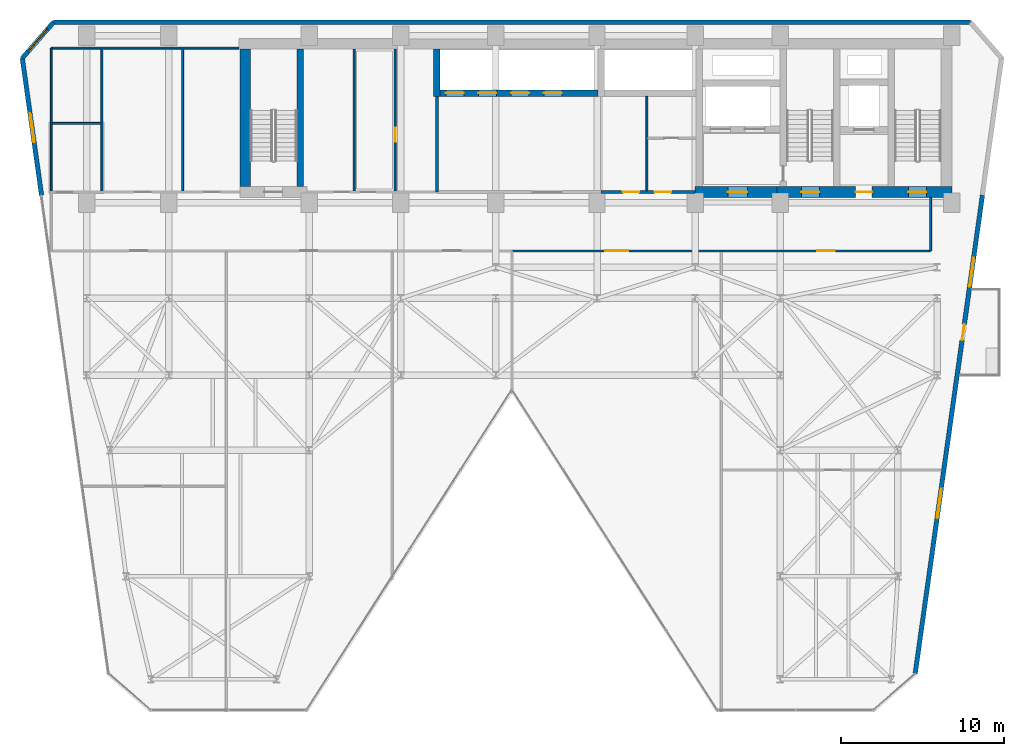
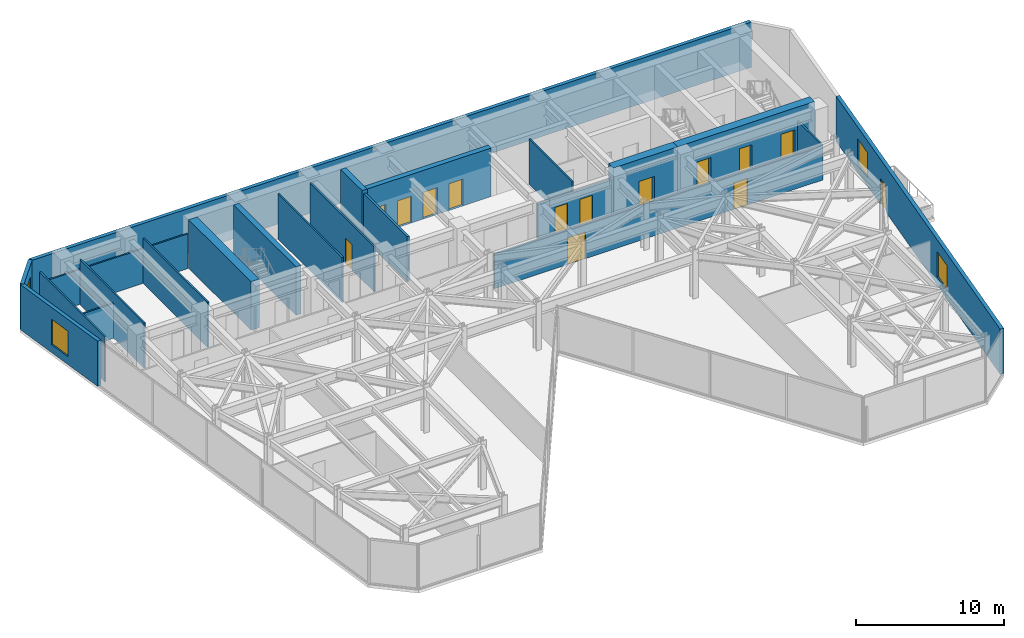
# One storey, part 22 of 26: 22 walls, 14 doors, 4 windows, 18 openings.
"""IFC4 building model written with IfcOpenShell, lengths in metres."""

from ifc_helpers import new_model, si_unit, direction, frame, frame_2d, origin, place, context, subcontext, project, spatial, rectangle, extrude, material, layer, layer_set, type_object, element, fill, save


model = new_model("IFC4")

# Units and contexts
model_context = context("Model", 3, precision=1e-05, world=origin(), true_north=direction((0.0, 1.0)))
body_context = subcontext(model_context, "Body", "Model", "MODEL_VIEW")
ifc_project = project(units=[si_unit("LENGTHUNIT", "METRE"), si_unit("AREAUNIT", "SQUARE_METRE"), si_unit("VOLUMEUNIT", "CUBIC_METRE"), si_unit("PLANEANGLEUNIT", "RADIAN"), si_unit("MASSUNIT", "GRAM", prefix="KILO")], contexts=[model_context])

# Site, building, storey
site_placement = place(None, origin())
site = spatial("IfcSite", under=ifc_project, at=site_placement, CompositionType="ELEMENT")
building_placement = place(site_placement, origin())
building = spatial("IfcBuilding", under=site, at=building_placement, Name="Kravanh Interchange Tower", CompositionType="ELEMENT")
storey_placement = place(building_placement, frame((0.0, 0.0, 152.0)))
storey = spatial("IfcBuildingStorey", under=building, at=storey_placement, Name="L36", CompositionType="ELEMENT", Elevation=152.0)

# Walls
ifc_material_1 = material(Name="Double Acoustic Gypsum Board and Mineral Wool")
ifc_layer_1 = layer(ifc_material_1, 0.1201171875)
ifc_layer_set_1 = layer_set([ifc_layer_1], Name="Acoustic Office Drywall Partition 120mm")
wall_type_1 = type_object("IfcWallType", Name="Acoustic Office Drywall Partition 120mm", PredefinedType="PARTITIONING", material=ifc_layer_set_1)
wall_1_placement = place(storey_placement, frame((47.85009765625, 38.068115234375, 0.0), z_axis=(0.0, 0.0, 1.0), x_axis=(0.0, 1.0, 0.0)))
element("IfcWall", 1, at=wall_1_placement, inside=storey, type_object=wall_type_1, Name="L36 Interior Partition 2", PredefinedType="PARTITIONING", context=body_context, shape_type="SweptSolid", body=[
    extrude(rectangle(XDim=5.77392578125, YDim=0.1201171875, at=frame_2d((2.886962890625, 0.0))), origin(), (0.0, 0.0, 1.0), 3.719970703125),
])
wall_2_placement = place(storey_placement, frame((29.949951171875, 38.068115234375, 0.0), z_axis=(0.0, 0.0, 1.0), x_axis=(0.0, 1.0, 0.0)))
element("IfcWall", 2, at=wall_2_placement, inside=storey, type_object=wall_type_1, Name="L36 Interior Partition 6", PredefinedType="PARTITIONING", context=body_context, shape_type="SweptSolid", body=[
    extrude(rectangle(XDim=8.673828125, YDim=0.1201171875, at=frame_2d((4.3369140625, 0.0))), origin(), (0.0, 0.0, 1.0), 3.719970703125),
])

# Wall, opening, door
wall_3_placement = place(storey_placement, frame((32.449951171875, 38.068115234375, 0.0), z_axis=(0.0, 0.0, 1.0), x_axis=(0.0, 1.0, 0.0)))
wall_3 = element("IfcWall", 3, at=wall_3_placement, inside=storey, type_object=wall_type_1, Name="L36 Interior Partition 7", PredefinedType="PARTITIONING", context=body_context, shape_type="SweptSolid", body=[
    extrude(rectangle(XDim=8.673828125, YDim=0.1201171875, at=frame_2d((4.3369140625, 0.0))), origin(), (0.0, 0.0, 1.0), 3.719970703125),
])
opening_1_placement = place(wall_3_placement, frame((3.007080078125, 0.0, 0.0)))
opening_1 = element("IfcOpeningElement", 4, at=opening_1_placement, cuts=wall_3, Name="Opening D-85", PredefinedType="OPENING", context=body_context, shape_type="SweptSolid", body=[
    extrude(rectangle(XDim=0.85009765625, YDim=2.10009765625, at=frame_2d((0.425048828125, 1.050048828125))), frame((0.0, 0.070068359375, 0.0), z_axis=(0.0, -1.0, 0.0), x_axis=(1.0, 0.0, 0.0)), (0.0, 0.0, 1.0), 0.14013671875),
])
ifc_material_2 = material(Name="Engineered Teak Veneer Timber", Category="wood")
door_type_1 = type_object("IfcDoorType", Name="En-Suite Timber Door 850x2100", OperationType="NOTDEFINED", PredefinedType="DOOR", material=ifc_material_2)
door_1_placement = place(opening_1_placement, origin())
door_1 = element("IfcDoor", 5, at=door_1_placement, inside=storey, type_object=door_type_1, Name="L36 Supply Room Inner Door", OperationType="SINGLE_SWING_LEFT", OverallHeight=2.10009765625, OverallWidth=0.85009765625, PredefinedType="DOOR", context=body_context, shape_type="SweptSolid", body=[
    extrude(rectangle(XDim=0.85009765625, YDim=2.10009765625, at=frame_2d((0.425048828125, 1.050048828125))), frame((0.0, 0.02490234375, 0.0), z_axis=(0.0, -1.0, 0.0), x_axis=(1.0, 0.0, 0.0)), (0.0, 0.0, 1.0), 0.050048828125),
])
fill(opening_1, door_1)

# Walls
wall_4_placement = place(storey_placement, frame((11.419921875, 38.0, 0.0), z_axis=(0.0, 0.0, 1.0), x_axis=(0.0, 1.0, 0.0)))
element("IfcWall", 6, at=wall_4_placement, inside=storey, type_object=wall_type_1, Name="L36 Restroom West Enclosure 10", PredefinedType="PARTITIONING", context=body_context, shape_type="SweptSolid", body=[
    extrude(rectangle(XDim=8.800048828125, YDim=0.1201171875, at=frame_2d((4.39990234375, 0.0))), origin(), (0.0, 0.0, 1.0), 3.719970703125),
])
wall_5_placement = place(storey_placement, frame((11.419921875, 46.800048828125, 0.0), z_axis=(0.0, 0.0, 1.0), x_axis=(1.0, 0.0, 0.0)))
element("IfcWall", 7, at=wall_5_placement, inside=storey, type_object=wall_type_1, Name="L36 Restroom North Enclosure 11", PredefinedType="PARTITIONING", context=body_context, shape_type="SweptSolid", body=[
    extrude(rectangle(XDim=11.47998046875, YDim=0.1201171875, at=frame_2d((5.739990234375, 0.0))), origin(), (0.0, 0.0, 1.0), 2.864013671875),
])
for number, where, z_axis, x_axis, name in (
    (8, (14.52001953125, 38.068115234375, 0.0), (0.0, 0.0, 1.0), (0.0, 1.0, 0.0), "L36 Interior Partition 12"),
    (9, (19.449951171875, 38.068115234375, 0.0), (0.0, 0.0, 1.0), (0.0, 1.0, 0.0), "L36 Interior Partition 13"),
):
    element("IfcWall", number, at=place(storey_placement, frame(where, z_axis=z_axis, x_axis=x_axis)), inside=storey, type_object=wall_type_1, Name=name, PredefinedType="PARTITIONING", context=body_context, shape_type="SweptSolid", body=[
        extrude(rectangle(XDim=8.663818359375, YDim=0.1201171875, at=frame_2d((4.33203125, 0.0))), origin(), (0.0, 0.0, 1.0), 3.719970703125),
    ])
wall_6_placement = place(storey_placement, frame((11.488037109375, 42.199951171875, 0.0), z_axis=(0.0, 0.0, 1.0), x_axis=(1.0, 0.0, 0.0)))
element("IfcWall", 10, at=wall_6_placement, inside=storey, type_object=wall_type_1, Name="L36 Interior Partition 14", PredefinedType="PARTITIONING", context=body_context, shape_type="SweptSolid", body=[
    extrude(rectangle(XDim=2.9638671875, YDim=0.1201171875, at=frame_2d((1.48193359375, 0.0))), origin(), (0.0, 0.0, 1.0), 2.864013671875),
])

# Wall, openings, doors
wall_7_placement = place(storey_placement, frame((39.60009765625, 34.39990234375, 0.0), z_axis=(0.0, 0.0, 1.0), x_axis=(1.0, 0.0, 0.0)))
wall_7 = element("IfcWall", 11, at=wall_7_placement, inside=storey, type_object=wall_type_1, Name="L36 Interior Partition 16", PredefinedType="PARTITIONING", context=body_context, shape_type="SweptSolid", body=[
    extrude(rectangle(XDim=25.599853515625, YDim=0.1201171875, at=frame_2d((12.7998046875, 0.0))), origin(), (0.0, 0.0, 1.0), 2.864013671875),
])
opening_2_placement = place(wall_7_placement, frame((5.699951171875, 0.0, 0.0)))
opening_2 = element("IfcOpeningElement", 12, at=opening_2_placement, cuts=wall_7, Name="Opening DBL-140", PredefinedType="OPENING", context=body_context, shape_type="SweptSolid", body=[
    extrude(rectangle(XDim=1.39990234375, YDim=2.199951171875, at=frame_2d((0.699951171875, 1.10009765625))), frame((0.0, 0.070068359375, 0.0), z_axis=(0.0, -1.0, 0.0), x_axis=(1.0, 0.0, 0.0)), (0.0, 0.0, 1.0), 0.14013671875),
])
opening_3_placement = place(wall_7_placement, frame((18.675048828125, 0.0, 0.0)))
opening_3 = element("IfcOpeningElement", 13, at=opening_3_placement, cuts=wall_7, Name="Opening D-105", PredefinedType="OPENING", context=body_context, shape_type="SweptSolid", body=[
    extrude(rectangle(XDim=1.050048828125, YDim=2.199951171875, at=frame_2d((0.52490234375, 1.10009765625))), frame((0.0, 0.070068359375, 0.0), z_axis=(0.0, -1.0, 0.0), x_axis=(1.0, 0.0, 0.0)), (0.0, 0.0, 1.0), 0.14013671875),
])
ifc_material_3 = material(Name="Acoustic Bronze-Framed Glass", Category="glass")
door_type_2 = type_object("IfcDoorType", Name="Hospitality Lounge Double Door 1400x2200", OperationType="DOUBLE_DOOR_SINGLE_SWING", PredefinedType="DOOR", material=ifc_material_3)
door_2_placement = place(opening_2_placement, origin())
door_2 = element("IfcDoor", 14, at=door_2_placement, inside=storey, type_object=door_type_2, Name="L36 Central Forum Meeting Door", OperationType="DOUBLE_DOOR_SINGLE_SWING", OverallHeight=2.199951171875, OverallWidth=1.39990234375, PredefinedType="DOOR", context=body_context, shape_type="SweptSolid", body=[
    extrude(rectangle(XDim=1.39990234375, YDim=2.199951171875, at=frame_2d((0.699951171875, 1.10009765625))), frame((0.0, 0.02490234375, 0.0), z_axis=(0.0, -1.0, 0.0), x_axis=(1.0, 0.0, 0.0)), (0.0, 0.0, 1.0), 0.050048828125),
])
fill(opening_2, door_2)
ifc_material_4 = material(Name="Acoustic Glazed Oak and Aluminium", Category="aluminium")
door_type_3 = type_object("IfcDoorType", Name="Office Workplace Door 1050x2200", OperationType="NOTDEFINED", PredefinedType="DOOR", material=ifc_material_4)
door_3_placement = place(opening_3_placement, origin())
door_3 = element("IfcDoor", 15, at=door_3_placement, inside=storey, type_object=door_type_3, Name="L36 East Balcony Office Door", OperationType="SINGLE_SWING_LEFT", OverallHeight=2.199951171875, OverallWidth=1.050048828125, PredefinedType="DOOR", context=body_context, shape_type="SweptSolid", body=[
    extrude(rectangle(XDim=1.050048828125, YDim=2.199951171875, at=frame_2d((0.52490234375, 1.10009765625))), frame((0.0, 0.02490234375, 0.0), z_axis=(0.0, -1.0, 0.0), x_axis=(1.0, 0.0, 0.0)), (0.0, 0.0, 1.0), 0.050048828125),
])
fill(opening_3, door_3)

# Wall
wall_8_placement = place(storey_placement, frame((65.199951171875, 34.39990234375, 0.0), z_axis=(0.0, 0.0, 1.0), x_axis=(0.0, 1.0, 0.0)))
element("IfcWall", 16, at=wall_8_placement, inside=storey, type_object=wall_type_1, Name="L36 Interior Partition 18", PredefinedType="PARTITIONING", context=body_context, shape_type="SweptSolid", body=[
    extrude(rectangle(XDim=3.26708984375, YDim=0.1201171875, at=frame_2d((1.633544921875, 0.0))), origin(), (0.0, 0.0, 1.0), 2.864013671875),
])

# Wall, openings, doors
ifc_material_5 = material(Name="Concrete C70/85", Category="concrete")
ifc_layer_2 = layer(ifc_material_5, 0.64990234375)
ifc_layer_set_2 = layer_set([ifc_layer_2], Name="Core Shear Wall Concrete C70/85 650mm")
wall_type_2 = type_object("IfcWallType", Name="Core Shear Wall Concrete C70/85 650mm", PredefinedType="SHEAR", material=ifc_layer_set_2)
wall_9_placement = place(storey_placement, frame((55.800048828125, 38.0, 0.0), z_axis=(0.0, 0.0, 1.0), x_axis=(1.0, 0.0, 0.0)))
wall_9 = element("IfcWall", 17, at=wall_9_placement, inside=storey, type_object=wall_type_2, Name="L36 East Core South Shear Wall", PredefinedType="SHEAR", context=body_context, shape_type="SweptSolid", body=[
    extrude(rectangle(XDim=10.699951171875, YDim=0.64990234375, at=frame_2d((5.35009765625, 0.0))), origin(), (0.0, 0.0, 1.0), 4.0),
])
opening_4_placement = place(wall_9_placement, frame((1.5, 0.0, 0.0)))
opening_4 = element("IfcOpeningElement", 18, at=opening_4_placement, cuts=wall_9, Name="Opening D-STAIR-110", PredefinedType="OPENING", context=body_context, shape_type="SweptSolid", body=[
    extrude(rectangle(XDim=1.10009765625, YDim=2.199951171875, at=frame_2d((0.550048828125, 1.10009765625))), frame((0.0, 0.3349609375, 0.0), z_axis=(0.0, -1.0, 0.0), x_axis=(1.0, 0.0, 0.0)), (0.0, 0.0, 1.0), 0.669921875),
])
opening_5_placement = place(wall_9_placement, frame((4.820068359375, 0.0, 0.0)))
opening_5 = element("IfcOpeningElement", 19, at=opening_5_placement, cuts=wall_9, Name="Opening D-HOTEL-100", PredefinedType="OPENING", context=body_context, shape_type="SweptSolid", body=[
    extrude(rectangle(XDim=1.0, YDim=2.14990234375, at=frame_2d((0.5, 1.074951171875))), frame((0.0, 0.3349609375, 0.0), z_axis=(0.0, -1.0, 0.0), x_axis=(1.0, 0.0, 0.0)), (0.0, 0.0, 1.0), 0.669921875),
])
opening_6_placement = place(wall_9_placement, frame((8.050048828125, 0.0, 0.0)))
opening_6 = element("IfcOpeningElement", 20, at=opening_6_placement, cuts=wall_9, Name="Opening D-STAIR-110", PredefinedType="OPENING", context=body_context, shape_type="SweptSolid", body=[
    extrude(rectangle(XDim=1.10009765625, YDim=2.199951171875, at=frame_2d((0.550048828125, 1.10009765625))), frame((0.0, 0.3349609375, 0.0), z_axis=(0.0, -1.0, 0.0), x_axis=(1.0, 0.0, 0.0)), (0.0, 0.0, 1.0), 0.669921875),
])
ifc_material_6 = material(Name="Structural Steel S355", Category="steel")
door_type_4 = type_object("IfcDoorType", Name="Fire-Rated Exit Stair Door 1100x2200", OperationType="NOTDEFINED", PredefinedType="DOOR", material=ifc_material_6)
door_4_placement = place(opening_4_placement, origin())
door_4 = element("IfcDoor", 21, at=door_4_placement, inside=storey, type_object=door_type_4, Name="L36 Exit Stair ST2 Door", OperationType="SINGLE_SWING_RIGHT", OverallHeight=2.199951171875, OverallWidth=1.10009765625, PredefinedType="DOOR", context=body_context, shape_type="SweptSolid", body=[
    extrude(rectangle(XDim=1.10009765625, YDim=2.199951171875, at=frame_2d((0.550048828125, 1.10009765625))), frame((0.0, 0.02490234375, 0.0), z_axis=(0.0, -1.0, 0.0), x_axis=(1.0, 0.0, 0.0)), (0.0, 0.0, 1.0), 0.050048828125),
])
fill(opening_4, door_4)
door_5_placement = place(opening_6_placement, origin())
door_5 = element("IfcDoor", 22, at=door_5_placement, inside=storey, type_object=door_type_4, Name="L36 Exit Stair ST1 Door", OperationType="SINGLE_SWING_RIGHT", OverallHeight=2.199951171875, OverallWidth=1.10009765625, PredefinedType="DOOR", context=body_context, shape_type="SweptSolid", body=[
    extrude(rectangle(XDim=1.10009765625, YDim=2.199951171875, at=frame_2d((0.550048828125, 1.10009765625))), frame((0.0, 0.02490234375, 0.0), z_axis=(0.0, -1.0, 0.0), x_axis=(1.0, 0.0, 0.0)), (0.0, 0.0, 1.0), 0.050048828125),
])
fill(opening_6, door_5)
ifc_material_7 = material(Name="Fire-Rated Solid Timber Leaf", Category="wood")
door_type_5 = type_object("IfcDoorType", Name="Fire-Rated Suite Entrance Door 1000x2150", OperationType="NOTDEFINED", PredefinedType="DOOR", material=ifc_material_7)
door_6_placement = place(opening_5_placement, origin())
door_6 = element("IfcDoor", 23, at=door_6_placement, inside=storey, type_object=door_type_5, Name="L36 Service Lift Lobby Door", OperationType="SINGLE_SWING_RIGHT", OverallHeight=2.14990234375, OverallWidth=1.0, PredefinedType="DOOR", context=body_context, shape_type="SweptSolid", body=[
    extrude(rectangle(XDim=1.0, YDim=2.14990234375, at=frame_2d((0.5, 1.074951171875))), frame((0.0, 0.02490234375, 0.0), z_axis=(0.0, -1.0, 0.0), x_axis=(1.0, 0.0, 0.0)), (0.0, 0.0, 1.0), 0.050048828125),
])
fill(opening_5, door_6)

# Wall, opening, door
wall_10_placement = place(storey_placement, frame((50.800048828125, 38.0, 0.0), z_axis=(0.0, 0.0, 1.0), x_axis=(1.0, 0.0, 0.0)))
wall_10 = element("IfcWall", 24, at=wall_10_placement, inside=storey, type_object=wall_type_2, Name="L36 Firefighting Lobby South Shear Wall", PredefinedType="SHEAR", context=body_context, shape_type="SweptSolid", body=[
    extrude(rectangle(XDim=5.0, YDim=0.64990234375, at=frame_2d((2.5, 0.0))), origin(), (0.0, 0.0, 1.0), 4.0),
])
opening_7_placement = place(wall_10_placement, frame((2.0, 0.0, 0.0)))
opening_7 = element("IfcOpeningElement", 25, at=opening_7_placement, cuts=wall_10, Name="Opening D-FSAE-120", PredefinedType="OPENING", context=body_context, shape_type="SweptSolid", body=[
    extrude(rectangle(XDim=1.199951171875, YDim=2.199951171875, at=frame_2d((0.60009765625, 1.10009765625))), frame((0.0, 0.3349609375, 0.0), z_axis=(0.0, -1.0, 0.0), x_axis=(1.0, 0.0, 0.0)), (0.0, 0.0, 1.0), 0.669921875),
])
ifc_material_8 = material(Name="Structural Steel S355", Category="steel")
door_type_6 = type_object("IfcDoorType", Name="Fire-Rated Refuge and FSAE Door 1200x2200", OperationType="NOTDEFINED", PredefinedType="DOOR", material=ifc_material_8)
door_7_placement = place(opening_7_placement, origin())
door_7 = element("IfcDoor", 26, at=door_7_placement, inside=storey, type_object=door_type_6, Name="L36 Firefighting Lobby Corridor Door", OperationType="SINGLE_SWING_RIGHT", OverallHeight=2.199951171875, OverallWidth=1.199951171875, PredefinedType="DOOR", context=body_context, shape_type="SweptSolid", body=[
    extrude(rectangle(XDim=1.199951171875, YDim=2.199951171875, at=frame_2d((0.60009765625, 1.10009765625))), frame((0.0, 0.02490234375, 0.0), z_axis=(0.0, -1.0, 0.0), x_axis=(1.0, 0.0, 0.0)), (0.0, 0.0, 1.0), 0.050048828125),
])
fill(opening_7, door_7)

# Wall
wall_11_placement = place(storey_placement, frame((23.27490234375, 38.324951171875, 0.0), z_axis=(0.0, 0.0, 1.0), x_axis=(0.0, 1.0, 0.0)))
element("IfcWall", 27, at=wall_11_placement, inside=storey, type_object=wall_type_2, Name="L36 Stair ST3 West Shear Wall", PredefinedType="SHEAR", context=body_context, shape_type="SweptSolid", body=[
    extrude(rectangle(XDim=8.425048828125, YDim=0.64990234375, at=frame_2d((4.21240234375, 0.0))), origin(), (0.0, 0.0, 1.0), 4.0),
])

# Wall, openings, doors
ifc_material_9 = material(Name="Concrete C80/95", Category="concrete")
ifc_layer_3 = layer(ifc_material_9, 0.39990234375)
ifc_layer_set_3 = layer_set([ifc_layer_3], Name="Core Shear Wall Concrete C80/95 400mm")
wall_type_3 = type_object("IfcWallType", Name="Core Shear Wall Concrete C80/95 400mm", PredefinedType="SHEAR", material=ifc_layer_set_3)
wall_12_placement = place(storey_placement, frame((35.199951171875, 44.050048828125, 0.0), z_axis=(0.0, 0.0, 1.0), x_axis=(1.0, 0.0, 0.0)))
wall_12 = element("IfcWall", 28, at=wall_12_placement, inside=storey, type_object=wall_type_3, Name="L36 Mid-Rise Lift Shaft South Wall", PredefinedType="SHEAR", context=body_context, shape_type="SweptSolid", body=[
    extrude(rectangle(XDim=9.650146484375, YDim=0.39990234375, at=frame_2d((4.8251953125, 0.0))), origin(), (0.0, 0.0, 1.0), 4.0),
])
opening_8_placement = place(wall_12_placement, frame((0.35009765625, 0.0, 0.0)))
opening_8 = element("IfcOpeningElement", 29, at=opening_8_placement, cuts=wall_12, Name="Opening LD01", PredefinedType="OPENING", context=body_context, shape_type="SweptSolid", body=[
    extrude(rectangle(XDim=1.10009765625, YDim=2.199951171875, at=frame_2d((0.550048828125, 1.10009765625))), frame((0.0, 0.2099609375, 0.0), z_axis=(0.0, -1.0, 0.0), x_axis=(1.0, 0.0, 0.0)), (0.0, 0.0, 1.0), 0.419921875),
])
opening_9_placement = place(wall_12_placement, frame((2.35009765625, 0.0, 0.0)))
opening_9 = element("IfcOpeningElement", 30, at=opening_9_placement, cuts=wall_12, Name="Opening LD01", PredefinedType="OPENING", context=body_context, shape_type="SweptSolid", body=[
    extrude(rectangle(XDim=1.10009765625, YDim=2.199951171875, at=frame_2d((0.550048828125, 1.10009765625))), frame((0.0, 0.2099609375, 0.0), z_axis=(0.0, -1.0, 0.0), x_axis=(1.0, 0.0, 0.0)), (0.0, 0.0, 1.0), 0.419921875),
])
opening_10_placement = place(wall_12_placement, frame((4.35009765625, 0.0, 0.0)))
opening_10 = element("IfcOpeningElement", 31, at=opening_10_placement, cuts=wall_12, Name="Opening LD01", PredefinedType="OPENING", context=body_context, shape_type="SweptSolid", body=[
    extrude(rectangle(XDim=1.10009765625, YDim=2.199951171875, at=frame_2d((0.550048828125, 1.10009765625))), frame((0.0, 0.2099609375, 0.0), z_axis=(0.0, -1.0, 0.0), x_axis=(1.0, 0.0, 0.0)), (0.0, 0.0, 1.0), 0.419921875),
])
opening_11_placement = place(wall_12_placement, frame((6.35009765625, 0.0, 0.0)))
opening_11 = element("IfcOpeningElement", 32, at=opening_11_placement, cuts=wall_12, Name="Opening LD01", PredefinedType="OPENING", context=body_context, shape_type="SweptSolid", body=[
    extrude(rectangle(XDim=1.10009765625, YDim=2.199951171875, at=frame_2d((0.550048828125, 1.10009765625))), frame((0.0, 0.2099609375, 0.0), z_axis=(0.0, -1.0, 0.0), x_axis=(1.0, 0.0, 0.0)), (0.0, 0.0, 1.0), 0.419921875),
])
ifc_material_10 = material(Name="Stainless Steel 304", Category="steel")
door_type_7 = type_object("IfcDoorType", Name="Passenger Lift Sliding Landing Door 1100x2200", OperationType="DOUBLE_DOOR_SLIDING", PredefinedType="DOOR", material=ifc_material_10)
door_8_placement = place(opening_8_placement, origin())
door_8 = element("IfcDoor", 33, at=door_8_placement, inside=storey, type_object=door_type_7, Name="L36 Lift LP-M1 Landing Door", OperationType="DOUBLE_DOOR_SLIDING", OverallHeight=2.199951171875, OverallWidth=1.10009765625, PredefinedType="DOOR", context=body_context, shape_type="SweptSolid", body=[
    extrude(rectangle(XDim=1.10009765625, YDim=2.199951171875, at=frame_2d((0.550048828125, 1.10009765625))), frame((0.0, 0.02490234375, 0.0), z_axis=(0.0, -1.0, 0.0), x_axis=(1.0, 0.0, 0.0)), (0.0, 0.0, 1.0), 0.050048828125),
])
fill(opening_8, door_8)
door_9_placement = place(opening_9_placement, origin())
door_9 = element("IfcDoor", 34, at=door_9_placement, inside=storey, type_object=door_type_7, Name="L36 Lift LP-M2 Landing Door", OperationType="DOUBLE_DOOR_SLIDING", OverallHeight=2.199951171875, OverallWidth=1.10009765625, PredefinedType="DOOR", context=body_context, shape_type="SweptSolid", body=[
    extrude(rectangle(XDim=1.10009765625, YDim=2.199951171875, at=frame_2d((0.550048828125, 1.10009765625))), frame((0.0, 0.02490234375, 0.0), z_axis=(0.0, -1.0, 0.0), x_axis=(1.0, 0.0, 0.0)), (0.0, 0.0, 1.0), 0.050048828125),
])
fill(opening_9, door_9)
door_10_placement = place(opening_10_placement, origin())
door_10 = element("IfcDoor", 35, at=door_10_placement, inside=storey, type_object=door_type_7, Name="L36 Lift LP-M3 Landing Door", OperationType="DOUBLE_DOOR_SLIDING", OverallHeight=2.199951171875, OverallWidth=1.10009765625, PredefinedType="DOOR", context=body_context, shape_type="SweptSolid", body=[
    extrude(rectangle(XDim=1.10009765625, YDim=2.199951171875, at=frame_2d((0.550048828125, 1.10009765625))), frame((0.0, 0.02490234375, 0.0), z_axis=(0.0, -1.0, 0.0), x_axis=(1.0, 0.0, 0.0)), (0.0, 0.0, 1.0), 0.050048828125),
])
fill(opening_10, door_10)
door_11_placement = place(opening_11_placement, origin())
door_11 = element("IfcDoor", 36, at=door_11_placement, inside=storey, type_object=door_type_7, Name="L36 Lift LP-M4 Landing Door", OperationType="DOUBLE_DOOR_SLIDING", OverallHeight=2.199951171875, OverallWidth=1.10009765625, PredefinedType="DOOR", context=body_context, shape_type="SweptSolid", body=[
    extrude(rectangle(XDim=1.10009765625, YDim=2.199951171875, at=frame_2d((0.550048828125, 1.10009765625))), frame((0.0, 0.02490234375, 0.0), z_axis=(0.0, -1.0, 0.0), x_axis=(1.0, 0.0, 0.0)), (0.0, 0.0, 1.0), 0.050048828125),
])
fill(opening_11, door_11)

# Walls
wall_13_placement = place(storey_placement, frame((35.0, 43.85009765625, 0.0), z_axis=(0.0, 0.0, 1.0), x_axis=(0.0, 1.0, 0.0)))
element("IfcWall", 37, at=wall_13_placement, inside=storey, type_object=wall_type_3, Name="L36 Mid-Rise Lift Shaft West Wall", PredefinedType="SHEAR", context=body_context, shape_type="SweptSolid", body=[
    extrude(rectangle(XDim=2.89990234375, YDim=0.39990234375, at=frame_2d((1.449951171875, 0.0))), origin(), (0.0, 0.0, 1.0), 4.0),
])
wall_14_placement = place(storey_placement, frame((26.64990234375, 38.324951171875, 0.0), z_axis=(0.0, 0.0, 1.0), x_axis=(0.0, 1.0, 0.0)))
element("IfcWall", 38, at=wall_14_placement, inside=storey, type_object=wall_type_3, Name="L36 Stair ST3 East Shear Wall", PredefinedType="SHEAR", context=body_context, shape_type="SweptSolid", body=[
    extrude(rectangle(XDim=8.425048828125, YDim=0.39990234375, at=frame_2d((4.21240234375, 0.0))), origin(), (0.0, 0.0, 1.0), 4.0),
])

# Wall, opening, window
ifc_material_11 = material(Name="Insulated Precast Concrete C40/50 with Bronze Cladding", Category="concrete")
ifc_layer_4 = layer(ifc_material_11, 0.280029296875)
ifc_layer_set_4 = layer_set([ifc_layer_4], Name="Exterior Insulated Concrete C40/50 Bronze Spandrel Wall 280mm")
wall_type_4 = type_object("IfcWallType", Name="Exterior Insulated Concrete C40/50 Bronze Spandrel Wall 280mm", PredefinedType="STANDARD", material=ifc_layer_set_4)
wall_15_placement = place(storey_placement, frame((10.824951171875, 37.800048828125, 0.0), z_axis=(0.0, 0.0, 1.0), x_axis=(-0.139180610108, 0.990267013371, 0.0)))
wall_15 = element("IfcWall", 39, at=wall_15_placement, inside=storey, type_object=wall_type_4, Name="L36 Exterior Wall 1", PredefinedType="STANDARD", context=body_context, shape_type="SweptSolid", body=[
    extrude(rectangle(XDim=8.46728515625, YDim=0.280029296875, at=frame_2d((4.233642578125, 0.0))), origin(), (0.0, 0.0, 1.0), 3.719970703125),
])
opening_12_placement = place(wall_15_placement, frame((3.273193359375, 0.0, 0.64990234375)))
opening_12 = element("IfcOpeningElement", 40, at=opening_12_placement, cuts=wall_15, Name="Opening WN-180X210", PredefinedType="OPENING", context=body_context, shape_type="SweptSolid", body=[
    extrude(rectangle(XDim=1.800048828125, YDim=2.10009765625, at=frame_2d((0.89990234375, 1.050048828125))), frame((0.0, 0.14990234375, 0.0), z_axis=(0.0, -1.0, 0.0), x_axis=(1.0, 0.0, 0.0)), (0.0, 0.0, 1.0), 0.300048828125),
])
ifc_material_12 = material(Name="Thermally Broken Bronze Aluminium and Low-E Glass", Category="aluminium")
window_type = type_object("IfcWindowType", Name="Tower Pier Window 1800x2100", PartitioningType="SINGLE_PANEL", PredefinedType="WINDOW", material=ifc_material_12)
window_1_placement = place(opening_12_placement, origin())
window_1 = element("IfcWindow", 41, at=window_1_placement, inside=storey, type_object=window_type, Name="L36 Corner Window 1", OverallHeight=2.10009765625, OverallWidth=1.800048828125, PartitioningType="SINGLE_PANEL", PredefinedType="WINDOW", context=body_context, shape_type="SweptSolid", body=[
    extrude(rectangle(XDim=1.800048828125, YDim=2.10009765625, at=frame_2d((0.89990234375, 1.050048828125))), frame((0.0, 0.030029296875, 0.0), z_axis=(0.0, -1.0, 0.0), x_axis=(1.0, 0.0, 0.0)), (0.0, 0.0, 1.0), 0.06005859375),
])
fill(opening_12, window_1)

wall_16_placement = place(storey_placement, frame((9.646484375, 46.184814453125, 0.0), z_axis=(0.0, 0.0, 1.0), x_axis=(0.656070644076, 0.754699483226, 0.0)))
wall_16 = element("IfcWall", 42, at=wall_16_placement, inside=storey, type_object=wall_type_4, Name="L36 Exterior Wall 2", PredefinedType="STANDARD", context=body_context, shape_type="SweptSolid", body=[
    extrude(rectangle(XDim=2.908447265625, YDim=0.280029296875, at=frame_2d((1.4541015625, 0.0))), origin(), (0.0, 0.0, 1.0), 3.719970703125),
])
opening_13_placement = place(wall_16_placement, frame((0.541015625, 0.0, 0.64990234375)))
opening_13 = element("IfcOpeningElement", 43, at=opening_13_placement, cuts=wall_16, Name="Opening WN-180X210", PredefinedType="OPENING", context=body_context, shape_type="SweptSolid", body=[
    extrude(rectangle(XDim=1.800048828125, YDim=2.10009765625, at=frame_2d((0.89990234375, 1.050048828125))), frame((0.0, 0.14990234375, 0.0), z_axis=(0.0, -1.0, 0.0), x_axis=(1.0, 0.0, 0.0)), (0.0, 0.0, 1.0), 0.300048828125),
])
window_2_placement = place(opening_13_placement, origin())
window_2 = element("IfcWindow", 44, at=window_2_placement, inside=storey, type_object=window_type, Name="L36 Corner Window 2", OverallHeight=2.10009765625, OverallWidth=1.800048828125, PartitioningType="SINGLE_PANEL", PredefinedType="WINDOW", context=body_context, shape_type="SweptSolid", body=[
    extrude(rectangle(XDim=1.800048828125, YDim=2.10009765625, at=frame_2d((0.89990234375, 1.050048828125))), frame((0.0, 0.030029296875, 0.0), z_axis=(0.0, -1.0, 0.0), x_axis=(1.0, 0.0, 0.0)), (0.0, 0.0, 1.0), 0.06005859375),
])
fill(opening_13, window_2)

# Wall
wall_17_placement = place(storey_placement, frame((11.5546875, 48.3798828125, 0.0), z_axis=(0.0, 0.0, 1.0), x_axis=(1.0, 0.0, 0.0)))
element("IfcWall", 45, at=wall_17_placement, inside=storey, type_object=wall_type_4, Name="L36 Exterior Wall 3", PredefinedType="STANDARD", context=body_context, shape_type="SweptSolid", body=[
    extrude(rectangle(XDim=56.090576171875, YDim=0.280029296875, at=frame_2d((28.04541015625, 0.0))), origin(), (0.0, 0.0, 1.0), 3.719970703125),
])

# Wall, openings, door, windows
wall_18_placement = place(storey_placement, frame((68.375, 37.800048828125, 0.0), z_axis=(0.0, 0.0, 1.0), x_axis=(-0.13917001236, -0.990268502811, 0.0)))
wall_18 = element("IfcWall", 46, at=wall_18_placement, inside=storey, type_object=wall_type_4, Name="L36 Exterior Wall 6", PredefinedType="STANDARD", context=body_context, shape_type="SweptSolid", body=[
    extrude(rectangle(XDim=29.548828125, YDim=0.280029296875, at=frame_2d((14.7744140625, 0.0))), origin(), (0.0, 0.0, 1.0), 3.719970703125),
])
opening_14_placement = place(wall_18_placement, frame((7.95556640625, 0.0, 0.0)))
opening_14 = element("IfcOpeningElement", 47, at=opening_14_placement, cuts=wall_18, Name="Opening ED-BAL100", PredefinedType="OPENING", context=body_context, shape_type="SweptSolid", body=[
    extrude(rectangle(XDim=1.0, YDim=2.14990234375, at=frame_2d((0.5, 1.074951171875))), frame((0.0, 0.14990234375, 0.0), z_axis=(0.0, -1.0, 0.0), x_axis=(1.0, 0.0, 0.0)), (0.0, 0.0, 1.0), 0.300048828125),
])
opening_15_placement = place(wall_18_placement, frame((3.851318359375, 0.0, 0.64990234375)))
opening_15 = element("IfcOpeningElement", 48, at=opening_15_placement, cuts=wall_18, Name="Opening WN-180X210", PredefinedType="OPENING", context=body_context, shape_type="SweptSolid", body=[
    extrude(rectangle(XDim=1.800048828125, YDim=2.10009765625, at=frame_2d((0.89990234375, 1.050048828125))), frame((0.0, 0.14990234375, 0.0), z_axis=(0.0, -1.0, 0.0), x_axis=(1.0, 0.0, 0.0)), (0.0, 0.0, 1.0), 0.300048828125),
])
opening_16_placement = place(wall_18_placement, frame((18.1357421875, 0.0, 0.64990234375)))
opening_16 = element("IfcOpeningElement", 49, at=opening_16_placement, cuts=wall_18, Name="Opening WN-180X210", PredefinedType="OPENING", context=body_context, shape_type="SweptSolid", body=[
    extrude(rectangle(XDim=1.800048828125, YDim=2.10009765625, at=frame_2d((0.89990234375, 1.050048828125))), frame((0.0, 0.14990234375, 0.0), z_axis=(0.0, -1.0, 0.0), x_axis=(1.0, 0.0, 0.0)), (0.0, 0.0, 1.0), 0.300048828125),
])
ifc_material_13 = material(Name="Thermally Broken Bronze Aluminium and Laminated Glass", Category="aluminium")
door_type_8 = type_object("IfcDoorType", Name="Balcony Glazed Door 1000x2150", OperationType="NOTDEFINED", PredefinedType="DOOR", material=ifc_material_13)
door_12_placement = place(opening_14_placement, origin())
door_12 = element("IfcDoor", 50, at=door_12_placement, inside=storey, type_object=door_type_8, Name="L36 E Tree Balcony Access Door", OperationType="SINGLE_SWING_LEFT", OverallHeight=2.14990234375, OverallWidth=1.0, PredefinedType="DOOR", context=body_context, shape_type="SweptSolid", body=[
    extrude(rectangle(XDim=1.0, YDim=2.14990234375, at=frame_2d((0.5, 1.074951171875))), frame((0.0, 0.02490234375, 0.0), z_axis=(0.0, -1.0, 0.0), x_axis=(1.0, 0.0, 0.0)), (0.0, 0.0, 1.0), 0.050048828125),
])
fill(opening_14, door_12)
window_3_placement = place(opening_15_placement, origin())
window_3 = element("IfcWindow", 51, at=window_3_placement, inside=storey, type_object=window_type, Name="L36 Facade Window 6A", OverallHeight=2.10009765625, OverallWidth=1.800048828125, PartitioningType="SINGLE_PANEL", PredefinedType="WINDOW", context=body_context, shape_type="SweptSolid", body=[
    extrude(rectangle(XDim=1.800048828125, YDim=2.10009765625, at=frame_2d((0.89990234375, 1.050048828125))), frame((0.0, 0.030029296875, 0.0), z_axis=(0.0, -1.0, 0.0), x_axis=(1.0, 0.0, 0.0)), (0.0, 0.0, 1.0), 0.06005859375),
])
fill(opening_15, window_3)
window_4_placement = place(opening_16_placement, origin())
window_4 = element("IfcWindow", 52, at=window_4_placement, inside=storey, type_object=window_type, Name="L36 Facade Window 6B", OverallHeight=2.10009765625, OverallWidth=1.800048828125, PartitioningType="SINGLE_PANEL", PredefinedType="WINDOW", context=body_context, shape_type="SweptSolid", body=[
    extrude(rectangle(XDim=1.800048828125, YDim=2.10009765625, at=frame_2d((0.89990234375, 1.050048828125))), frame((0.0, 0.030029296875, 0.0), z_axis=(0.0, -1.0, 0.0), x_axis=(1.0, 0.0, 0.0)), (0.0, 0.0, 1.0), 0.06005859375),
])
fill(opening_16, window_4)

# Wall, openings, doors
ifc_material_14 = material(Name="Autoclaved Aerated Concrete C30/37 Blockwork", Category="masonry")
ifc_layer_5 = layer(ifc_material_14, 0.179931640625)
ifc_layer_set_5 = layer_set([ifc_layer_5], Name="Fire-Rated Lobby and Corridor Wall Concrete C30/37 180mm")
wall_type_5 = type_object("IfcWallType", Name="Fire-Rated Lobby and Corridor Wall Concrete C30/37 180mm", PredefinedType="STANDARD", material=ifc_layer_set_5)
wall_19_placement = place(storey_placement, frame((45.050048828125, 38.0, 0.0), z_axis=(0.0, 0.0, 1.0), x_axis=(1.0, 0.0, 0.0)))
wall_19 = element("IfcWall", 53, at=wall_19_placement, inside=storey, type_object=wall_type_5, Name="L36 Core South Enclosure 1", PredefinedType="STANDARD", context=body_context, shape_type="SweptSolid", body=[
    extrude(rectangle(XDim=5.75, YDim=0.179931640625, at=frame_2d((2.875, 0.0))), origin(), (0.0, 0.0, 1.0), 2.864013671875),
])
opening_17_placement = place(wall_19_placement, frame((1.324951171875, 0.0, 0.0)))
opening_17 = element("IfcOpeningElement", 54, at=opening_17_placement, cuts=wall_19, Name="Opening D-HOTEL-100", PredefinedType="OPENING", context=body_context, shape_type="SweptSolid", body=[
    extrude(rectangle(XDim=1.0, YDim=2.14990234375, at=frame_2d((0.5, 1.074951171875))), frame((0.0, 0.10009765625, 0.0), z_axis=(0.0, -1.0, 0.0), x_axis=(1.0, 0.0, 0.0)), (0.0, 0.0, 1.0), 0.199951171875),
])
opening_18_placement = place(wall_19_placement, frame((3.27490234375, 0.0, 0.0)))
opening_18 = element("IfcOpeningElement", 55, at=opening_18_placement, cuts=wall_19, Name="Opening D-HOTEL-100", PredefinedType="OPENING", context=body_context, shape_type="SweptSolid", body=[
    extrude(rectangle(XDim=1.0, YDim=2.14990234375, at=frame_2d((0.5, 1.074951171875))), frame((0.0, 0.10009765625, 0.0), z_axis=(0.0, -1.0, 0.0), x_axis=(1.0, 0.0, 0.0)), (0.0, 0.0, 1.0), 0.199951171875),
])
door_13_placement = place(opening_17_placement, origin())
door_13 = element("IfcDoor", 56, at=door_13_placement, inside=storey, type_object=door_type_5, Name="L36 Core Metering Door", OperationType="SINGLE_SWING_RIGHT", OverallHeight=2.14990234375, OverallWidth=1.0, PredefinedType="DOOR", context=body_context, shape_type="SweptSolid", body=[
    extrude(rectangle(XDim=1.0, YDim=2.14990234375, at=frame_2d((0.5, 1.074951171875))), frame((0.0, 0.02490234375, 0.0), z_axis=(0.0, -1.0, 0.0), x_axis=(1.0, 0.0, 0.0)), (0.0, 0.0, 1.0), 0.050048828125),
])
fill(opening_17, door_13)
door_14_placement = place(opening_18_placement, origin())
door_14 = element("IfcDoor", 57, at=door_14_placement, inside=storey, type_object=door_type_5, Name="L36 Core Copy Room Door", OperationType="SINGLE_SWING_LEFT", OverallHeight=2.14990234375, OverallWidth=1.0, PredefinedType="DOOR", context=body_context, shape_type="SweptSolid", body=[
    extrude(rectangle(XDim=1.0, YDim=2.14990234375, at=frame_2d((0.5, 1.074951171875))), frame((0.0, 0.02490234375, 0.0), z_axis=(0.0, -1.0, 0.0), x_axis=(1.0, 0.0, 0.0)), (0.0, 0.0, 1.0), 0.050048828125),
])
fill(opening_18, door_14)

# Wall
wall_20_placement = place(storey_placement, frame((35.0, 38.0, 0.0), z_axis=(0.0, 0.0, 1.0), x_axis=(0.0, 1.0, 0.0)))
element("IfcWall", 58, at=wall_20_placement, inside=storey, type_object=wall_type_5, Name="L36 Interior Partition 5", PredefinedType="STANDARD", context=body_context, shape_type="SweptSolid", body=[
    extrude(rectangle(XDim=5.85009765625, YDim=0.179931640625, at=frame_2d((2.925048828125, 0.0))), origin(), (0.0, 0.0, 1.0), 3.719970703125),
])

save(model, "model.ifc")
